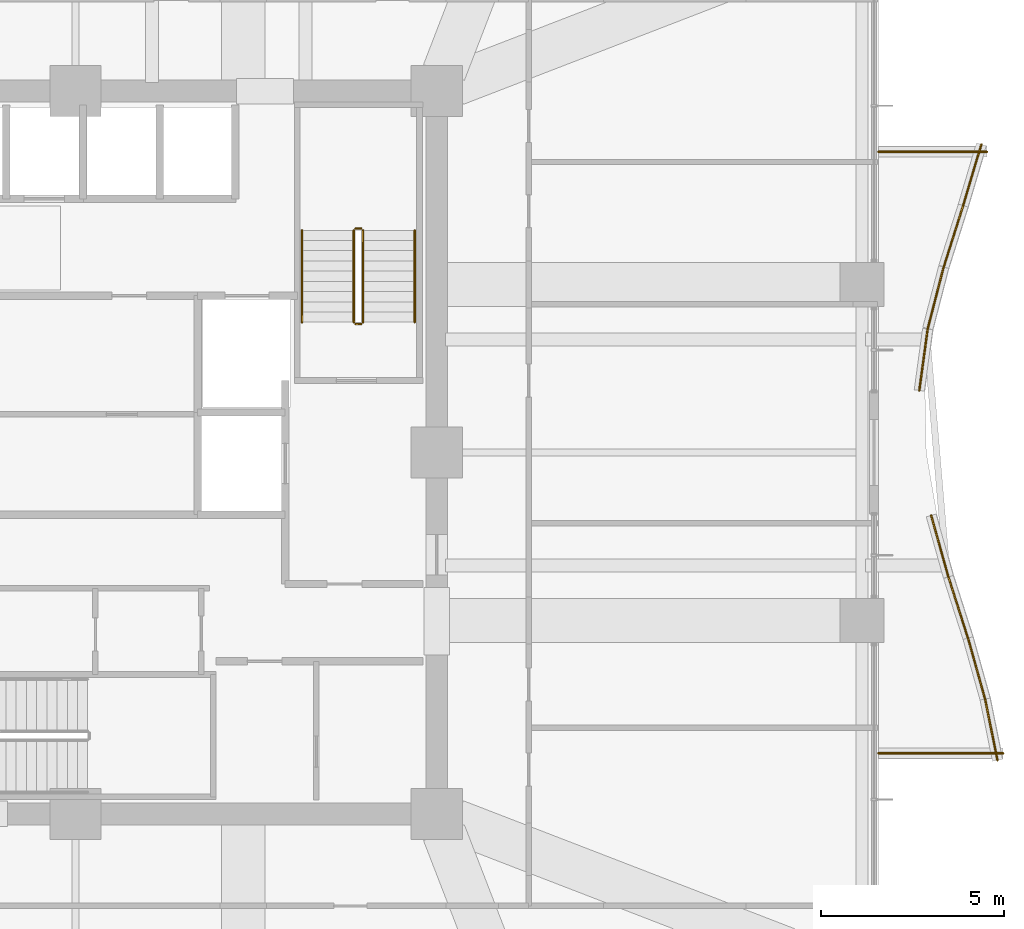
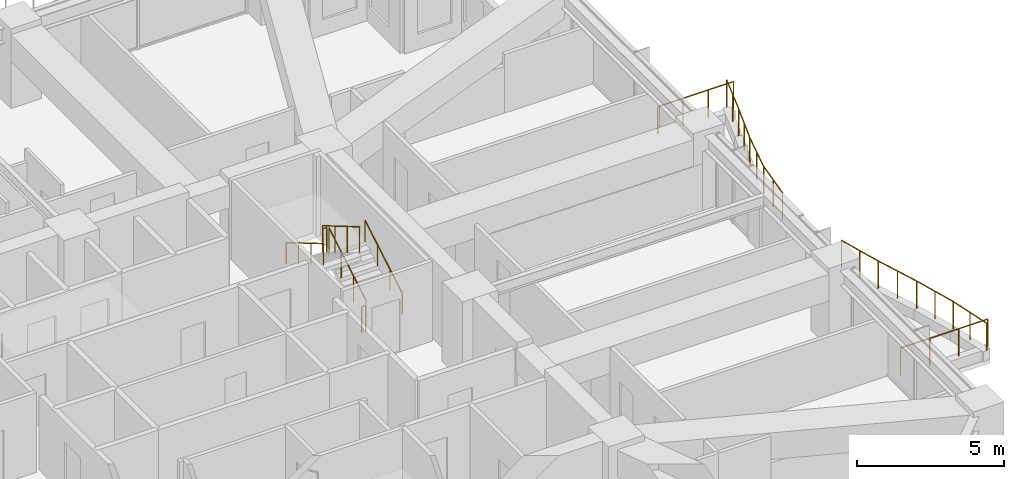
# One storey, part 38 of 39: 16 railings.
"""IFC4 building model written with IfcOpenShell, lengths in metres."""

from ifc_helpers import new_model, si_unit, direction, frame, origin, origin_2d, place, context, subcontext, project, spatial, circle, extrude, material, type_object, element, save


model = new_model("IFC4")

# Units and contexts
model_context = context("Model", 3, precision=1e-05, world=origin(), true_north=direction((0.0, 1.0)))
body_context = subcontext(model_context, "Body", "Model", "MODEL_VIEW")
ifc_project = project(units=[si_unit("LENGTHUNIT", "METRE"), si_unit("AREAUNIT", "SQUARE_METRE"), si_unit("VOLUMEUNIT", "CUBIC_METRE"), si_unit("PLANEANGLEUNIT", "RADIAN"), si_unit("MASSUNIT", "GRAM", prefix="KILO")], contexts=[model_context])

# Site, building, storey
site_placement = place(None, origin())
site = spatial("IfcSite", under=ifc_project, at=site_placement, CompositionType="ELEMENT")
building_placement = place(site_placement, origin())
building = spatial("IfcBuilding", under=site, at=building_placement, Name="Kolvaren Belvedere", CompositionType="ELEMENT")
storey_placement = place(building_placement, frame((0.0, 0.0, 33.699951171875)))
storey = spatial("IfcBuildingStorey", under=building, at=storey_placement, Name="L09", CompositionType="ELEMENT", Elevation=33.699951171875)

# Railings
ifc_material_1 = material(Name="Anodised pale-metal aluminium & laminated glass guard", Category="aluminium")
railing_type_1 = type_object("IfcRailingType", Name="RL-GUARD-1150", PredefinedType="GUARDRAIL", material=ifc_material_1)
railing_1_placement = place(storey_placement, frame((25.26318359375, -8.431884765625, 0.360107421875)))
element("IfcRailing", 1, at=railing_1_placement, inside=storey, type_object=railing_type_1, Name="L09 Exterior Deck Safety Guard BAL-E-1", PredefinedType="GUARDRAIL", context=body_context, shape_type="SweptSolid", body=[
    extrude(circle(Radius=0.02392578125, at=origin_2d()), frame((0.0, 0.0, 1.1259765625), z_axis=(-0.198662427795, 0.980067977123, 0.0), x_axis=(-0.980067977123, -0.198662427795, 0.0)), (0.0, 0.0, 1.0), 1.71435546875),
    extrude(circle(Radius=0.02099609375, at=origin_2d()), origin(), (0.0, 0.0, 1.0), 1.101806640625),
    extrude(circle(Radius=0.02099609375, at=origin_2d()), frame((-0.17041015625, 0.840087890625, 0.0)), (0.0, 0.0, 1.0), 1.101806640625),
    extrude(circle(Radius=0.02099609375, at=origin_2d()), frame((-0.340576171875, 1.68017578125, 0.0)), (0.0, 0.0, 1.0), 1.101806640625),
])
railing_2_placement = place(storey_placement, frame((24.92529296875, -6.76318359375, 0.360107421875)))
element("IfcRailing", 2, at=railing_2_placement, inside=storey, type_object=railing_type_1, Name="L09 Exterior Deck Safety Guard BAL-E-2", PredefinedType="GUARDRAIL", context=body_context, shape_type="SweptSolid", body=[
    extrude(circle(Radius=0.02392578125, at=origin_2d()), frame((0.0, 0.0, 1.1259765625), z_axis=(-0.269801210823, 0.962916043401, 0.0), x_axis=(-0.962916043401, -0.269801210823, 0.0)), (0.0, 0.0, 1.0), 1.74462890625),
    extrude(circle(Radius=0.02099609375, at=origin_2d()), origin(), (0.0, 0.0, 1.0), 1.101806640625),
    extrude(circle(Radius=0.02099609375, at=origin_2d()), frame((-0.2353515625, 0.83984375, 0.0)), (0.0, 0.0, 1.0), 1.101806640625),
    extrude(circle(Radius=0.02099609375, at=origin_2d()), frame((-0.470703125, 1.679931640625, 0.0)), (0.0, 0.0, 1.0), 1.101806640625),
])
railing_3_placement = place(storey_placement, frame((24.456298828125, -5.088623046875, 0.360107421875)))
element("IfcRailing", 3, at=railing_3_placement, inside=storey, type_object=railing_type_1, Name="L09 Exterior Deck Safety Guard BAL-E-3", PredefinedType="GUARDRAIL", context=body_context, shape_type="SweptSolid", body=[
    extrude(circle(Radius=0.02392578125, at=origin_2d()), frame((0.0, 0.0, 1.1259765625), z_axis=(-0.304660208284, 0.952461105499, 0.0), x_axis=(-0.952461105499, -0.304660208284, 0.0)), (0.0, 0.0, 1.0), 1.763671875),
    extrude(circle(Radius=0.02099609375, at=origin_2d()), origin(), (0.0, 0.0, 1.0), 1.101806640625),
    extrude(circle(Radius=0.02099609375, at=origin_2d()), frame((-0.2685546875, 0.83984375, 0.0)), (0.0, 0.0, 1.0), 1.101806640625),
    extrude(circle(Radius=0.02099609375, at=origin_2d()), frame((-0.537353515625, 1.679931640625, 0.0)), (0.0, 0.0, 1.0), 1.101806640625),
])
railing_4_placement = place(storey_placement, frame((23.917236328125, -3.4033203125, 0.360107421875)))
element("IfcRailing", 4, at=railing_4_placement, inside=storey, type_object=railing_type_1, Name="L09 Exterior Deck Safety Guard BAL-E-4", PredefinedType="GUARDRAIL", context=body_context, shape_type="SweptSolid", body=[
    extrude(circle(Radius=0.02392578125, at=origin_2d()), frame((0.0, 0.0, 1.1259765625), z_axis=(-0.269764860108, 0.962926227834, 0.0), x_axis=(-0.962926227834, -0.269764860108, 0.0)), (0.0, 0.0, 1.0), 1.744873046875),
    extrude(circle(Radius=0.02099609375, at=origin_2d()), origin(), (0.0, 0.0, 1.0), 1.101806640625),
    extrude(circle(Radius=0.02099609375, at=origin_2d()), frame((-0.2353515625, 0.840087890625, 0.0)), (0.0, 0.0, 1.0), 1.101806640625),
    extrude(circle(Radius=0.02099609375, at=origin_2d()), frame((-0.470703125, 1.68017578125, 0.0)), (0.0, 0.0, 1.0), 1.101806640625),
])
railing_5_placement = place(storey_placement, frame((23.12060546875, 1.70166015625, 0.360107421875)))
element("IfcRailing", 5, at=railing_5_placement, inside=storey, type_object=railing_type_1, Name="L09 Exterior Deck Safety Guard BAL-E-7", PredefinedType="GUARDRAIL", context=body_context, shape_type="SweptSolid", body=[
    extrude(circle(Radius=0.02392578125, at=origin_2d()), frame((0.0, 0.0, 1.1259765625), z_axis=(0.134926850989, 0.990855562068, 0.0), x_axis=(-0.990855562068, 0.134926850989, 0.0)), (0.0, 0.0, 1.0), 1.695556640625),
    extrude(circle(Radius=0.02099609375, at=origin_2d()), origin(), (0.0, 0.0, 1.0), 1.101806640625),
    extrude(circle(Radius=0.02099609375, at=origin_2d()), frame((0.1142578125, 0.83984375, 0.0)), (0.0, 0.0, 1.0), 1.101806640625),
    extrude(circle(Radius=0.02099609375, at=origin_2d()), frame((0.228759765625, 1.679931640625, 0.0)), (0.0, 0.0, 1.0), 1.101806640625),
])
railing_6_placement = place(storey_placement, frame((23.352783203125, 3.400146484375, 0.360107421875)))
element("IfcRailing", 6, at=railing_6_placement, inside=storey, type_object=railing_type_1, Name="L09 Exterior Deck Safety Guard BAL-E-8", PredefinedType="GUARDRAIL", context=body_context, shape_type="SweptSolid", body=[
    extrude(circle(Radius=0.02392578125, at=origin_2d()), frame((0.0, 0.0, 1.1259765625), z_axis=(0.25057152961, 0.968098088289, 0.0), x_axis=(-0.968098088289, 0.25057152961, 0.0)), (0.0, 0.0, 1.0), 1.7353515625),
    extrude(circle(Radius=0.02099609375, at=origin_2d()), origin(), (0.0, 0.0, 1.0), 1.101806640625),
    extrude(circle(Radius=0.02099609375, at=origin_2d()), frame((0.21728515625, 0.83984375, 0.0)), (0.0, 0.0, 1.0), 1.101806640625),
    extrude(circle(Radius=0.02099609375, at=origin_2d()), frame((0.434814453125, 1.679931640625, 0.0)), (0.0, 0.0, 1.0), 1.101806640625),
])
railing_7_placement = place(storey_placement, frame((23.789794921875, 5.08837890625, 0.360107421875)))
element("IfcRailing", 7, at=railing_7_placement, inside=storey, type_object=railing_type_1, Name="L09 Exterior Deck Safety Guard BAL-E-9", PredefinedType="GUARDRAIL", context=body_context, shape_type="SweptSolid", body=[
    extrude(circle(Radius=0.02392578125, at=origin_2d()), frame((0.0, 0.0, 1.1259765625), z_axis=(0.302523204768, 0.953142020151, 0.0), x_axis=(-0.953142020151, 0.302523204768, 0.0)), (0.0, 0.0, 1.0), 1.762451171875),
    extrude(circle(Radius=0.02099609375, at=origin_2d()), origin(), (0.0, 0.0, 1.0), 1.101806640625),
    extrude(circle(Radius=0.02099609375, at=origin_2d()), frame((0.2666015625, 0.83984375, 0.0)), (0.0, 0.0, 1.0), 1.101806640625),
    extrude(circle(Radius=0.02099609375, at=origin_2d()), frame((0.533203125, 1.679931640625, 0.0)), (0.0, 0.0, 1.0), 1.101806640625),
])
railing_8_placement = place(storey_placement, frame((24.322021484375, 6.765625, 0.360107421875)))
element("IfcRailing", 8, at=railing_8_placement, inside=storey, type_object=railing_type_1, Name="L09 Exterior Deck Safety Guard BAL-E-10", PredefinedType="GUARDRAIL", context=body_context, shape_type="SweptSolid", body=[
    extrude(circle(Radius=0.02392578125, at=origin_2d()), frame((0.0, 0.0, 1.1259765625), z_axis=(0.284880325779, 0.95856309129, 0.0), x_axis=(-0.95856309129, 0.284880325779, 0.0)), (0.0, 0.0, 1.0), 1.75244140625),
    extrude(circle(Radius=0.02099609375, at=origin_2d()), origin(), (0.0, 0.0, 1.0), 1.101806640625),
    extrude(circle(Radius=0.02099609375, at=origin_2d()), frame((0.24951171875, 0.83984375, 0.0)), (0.0, 0.0, 1.0), 1.101806640625),
    extrude(circle(Radius=0.02099609375, at=origin_2d()), frame((0.499267578125, 1.679931640625, 0.0)), (0.0, 0.0, 1.0), 1.101806640625),
])
railing_9_placement = place(storey_placement, frame((24.974853515625, 8.239990234375, 0.360107421875)))
element("IfcRailing", 9, at=railing_9_placement, inside=storey, type_object=railing_type_1, Name="L09 Exterior Deck Safety Guard BAL-E-11", PredefinedType="GUARDRAIL", context=body_context, shape_type="SweptSolid", body=[
    extrude(circle(Radius=0.02392578125, at=origin_2d()), frame((0.0, 0.0, 1.1259765625), z_axis=(-1.0, 0.0, 0.0), x_axis=(0.0, -1.0, 0.0)), (0.0, 0.0, 1.0), 2.974853515625),
    extrude(circle(Radius=0.02099609375, at=origin_2d()), origin(), (0.0, 0.0, 1.0), 1.101806640625),
    extrude(circle(Radius=0.02099609375, at=origin_2d()), frame((-0.99169921875, 0.0, 0.0)), (0.0, 0.0, 1.0), 1.101806640625),
    extrude(circle(Radius=0.02099609375, at=origin_2d()), frame((-1.983154296875, 0.0, 0.0)), (0.0, 0.0, 1.0), 1.101806640625),
    extrude(circle(Radius=0.02099609375, at=origin_2d()), frame((-2.974853515625, 0.0, 0.0)), (0.0, 0.0, 1.0), 1.101806640625),
])
railing_10_placement = place(storey_placement, frame((22.0, -8.239990234375, 0.360107421875)))
element("IfcRailing", 10, at=railing_10_placement, inside=storey, type_object=railing_type_1, Name="L09 Exterior Deck Safety Guard BAL-E-22", PredefinedType="GUARDRAIL", context=body_context, shape_type="SweptSolid", body=[
    extrude(circle(Radius=0.02392578125, at=origin_2d()), frame((0.0, 0.0, 1.1259765625), z_axis=(1.0, 0.0, 0.0), x_axis=(0.0, 1.0, 0.0)), (0.0, 0.0, 1.0), 3.419921875),
    extrude(circle(Radius=0.02099609375, at=origin_2d()), origin(), (0.0, 0.0, 1.0), 1.101806640625),
    extrude(circle(Radius=0.02099609375, at=origin_2d()), frame((1.139892578125, 0.0, 0.0)), (0.0, 0.0, 1.0), 1.101806640625),
    extrude(circle(Radius=0.02099609375, at=origin_2d()), frame((2.280029296875, 0.0, 0.0)), (0.0, 0.0, 1.0), 1.101806640625),
    extrude(circle(Radius=0.02099609375, at=origin_2d()), frame((3.419921875, 0.0, 0.0)), (0.0, 0.0, 1.0), 1.101806640625),
])
ifc_material_2 = material(Name="Brushed stainless-steel handrail", Category="steel")
railing_type_2 = type_object("IfcRailingType", Name="RL-HANDRAIL-920", PredefinedType="HANDRAIL", material=ifc_material_2)
railing_11_placement = place(storey_placement, frame((9.300048828125, 3.570068359375, 0.1650390625)))
element("IfcRailing", 11, at=railing_11_placement, inside=storey, type_object=railing_type_2, Name="L09 ST-2 stair handrail 1", PredefinedType="HANDRAIL", context=body_context, shape_type="SweptSolid", body=[
    extrude(circle(Radius=0.02392578125, at=origin_2d()), frame((0.0, 0.0, 0.8759765625), z_axis=(0.0, 0.86152411907, 0.507716645641), x_axis=(-1.0, 0.0, 0.0)), (0.0, 0.0, 1.0), 2.925048828125),
    extrude(circle(Radius=0.02099609375, at=origin_2d()), origin(), (0.0, 0.0, 1.0), 0.851806640625),
    extrude(circle(Radius=0.02099609375, at=origin_2d()), frame((0.0, 0.840087890625, 0.4951171875)), (0.0, 0.0, 1.0), 0.851806640625),
    extrude(circle(Radius=0.02099609375, at=origin_2d()), frame((0.0, 1.679931640625, 0.989990234375)), (0.0, 0.0, 1.0), 0.851806640625),
    extrude(circle(Radius=0.02099609375, at=origin_2d()), frame((0.0, 2.52001953125, 1.485107421875)), (0.0, 0.0, 1.0), 0.851806640625),
])
railing_12_placement = place(storey_placement, frame((6.2099609375, 6.090087890625, 1.81494140625)))
element("IfcRailing", 12, at=railing_12_placement, inside=storey, type_object=railing_type_2, Name="L09 ST-2 stair handrail 2", PredefinedType="HANDRAIL", context=body_context, shape_type="SweptSolid", body=[
    extrude(circle(Radius=0.02392578125, at=origin_2d()), frame((0.0, 0.0, 0.8759765625), z_axis=(0.0, -0.86152411907, 0.507716645641), x_axis=(1.0, 0.0, 0.0)), (0.0, 0.0, 1.0), 2.925048828125),
    extrude(circle(Radius=0.02099609375, at=origin_2d()), origin(), (0.0, 0.0, 1.0), 0.851806640625),
    extrude(circle(Radius=0.02099609375, at=origin_2d()), frame((0.0, -0.840087890625, 0.4951171875)), (0.0, 0.0, 1.0), 0.851806640625),
    extrude(circle(Radius=0.02099609375, at=origin_2d()), frame((0.0, -1.679931640625, 0.989990234375)), (0.0, 0.0, 1.0), 0.851806640625),
    extrude(circle(Radius=0.02099609375, at=origin_2d()), frame((0.0, -2.52001953125, 1.485107421875)), (0.0, 0.0, 1.0), 0.851806640625),
])
ifc_material_3 = material(Name="Painted tubular steel stair guard", Category="steel")
railing_type_3 = type_object("IfcRailingType", Name="RL-STGUARD-1100", PredefinedType="GUARDRAIL", material=ifc_material_3)
railing_13_placement = place(storey_placement, frame((7.8798828125, 3.570068359375, 0.1650390625)))
element("IfcRailing", 13, at=railing_13_placement, inside=storey, type_object=railing_type_3, Name="L09 ST-2 stair guard 1", PredefinedType="GUARDRAIL", context=body_context, shape_type="SweptSolid", body=[
    extrude(circle(Radius=0.02392578125, at=origin_2d()), frame((0.0, 0.0, 1.076171875), z_axis=(0.0, 0.86152411907, 0.507716645641), x_axis=(-1.0, 0.0, 0.0)), (0.0, 0.0, 1.0), 2.925048828125),
    extrude(circle(Radius=0.02099609375, at=origin_2d()), origin(), (0.0, 0.0, 1.0), 1.052001953125),
    extrude(circle(Radius=0.02099609375, at=origin_2d()), frame((0.0, 0.840087890625, 0.4951171875)), (0.0, 0.0, 1.0), 1.052001953125),
    extrude(circle(Radius=0.02099609375, at=origin_2d()), frame((0.0, 1.679931640625, 0.989990234375)), (0.0, 0.0, 1.0), 1.052001953125),
    extrude(circle(Radius=0.02099609375, at=origin_2d()), frame((0.0, 2.52001953125, 1.485107421875)), (0.0, 0.0, 1.0), 1.052001953125),
])
railing_14_placement = place(storey_placement, frame((7.830078125, 6.139892578125, 1.650146484375)))
element("IfcRailing", 14, at=railing_14_placement, inside=storey, type_object=railing_type_3, Name="L09 ST-2 stair guard 2", PredefinedType="GUARDRAIL", context=body_context, shape_type="SweptSolid", body=[
    extrude(circle(Radius=0.02392578125, at=origin_2d()), frame((0.0, 0.0, 1.076171875), z_axis=(-1.0, 0.0, 0.0), x_axis=(0.0, -1.0, 0.0)), (0.0, 0.0, 1.0), 0.150146484375),
    extrude(circle(Radius=0.02099609375, at=origin_2d()), origin(), (0.0, 0.0, 1.0), 1.052001953125),
    extrude(circle(Radius=0.02099609375, at=origin_2d()), frame((-0.150146484375, 0.0, 0.0)), (0.0, 0.0, 1.0), 1.052001953125),
])
railing_15_placement = place(storey_placement, frame((7.6298828125, 6.090087890625, 1.81494140625)))
element("IfcRailing", 15, at=railing_15_placement, inside=storey, type_object=railing_type_3, Name="L09 ST-2 stair guard 3", PredefinedType="GUARDRAIL", context=body_context, shape_type="SweptSolid", body=[
    extrude(circle(Radius=0.02392578125, at=origin_2d()), frame((0.0, 0.0, 1.076171875), z_axis=(0.0, -0.86152411907, 0.507716645641), x_axis=(1.0, 0.0, 0.0)), (0.0, 0.0, 1.0), 2.925048828125),
    extrude(circle(Radius=0.02099609375, at=origin_2d()), origin(), (0.0, 0.0, 1.0), 1.052001953125),
    extrude(circle(Radius=0.02099609375, at=origin_2d()), frame((0.0, -0.840087890625, 0.4951171875)), (0.0, 0.0, 1.0), 1.052001953125),
    extrude(circle(Radius=0.02099609375, at=origin_2d()), frame((0.0, -1.679931640625, 0.989990234375)), (0.0, 0.0, 1.0), 1.052001953125),
    extrude(circle(Radius=0.02099609375, at=origin_2d()), frame((0.0, -2.52001953125, 1.485107421875)), (0.0, 0.0, 1.0), 1.052001953125),
])
railing_16_placement = place(storey_placement, frame((7.830078125, 3.52001953125, 0.0)))
element("IfcRailing", 16, at=railing_16_placement, inside=storey, type_object=railing_type_3, Name="L09 ST-2 stair guard 4", PredefinedType="GUARDRAIL", context=body_context, shape_type="SweptSolid", body=[
    extrude(circle(Radius=0.02392578125, at=origin_2d()), frame((0.0, 0.0, 1.076171875), z_axis=(-1.0, 0.0, 0.0), x_axis=(0.0, -1.0, 0.0)), (0.0, 0.0, 1.0), 0.150146484375),
    extrude(circle(Radius=0.02099609375, at=origin_2d()), origin(), (0.0, 0.0, 1.0), 1.052001953125),
    extrude(circle(Radius=0.02099609375, at=origin_2d()), frame((-0.150146484375, 0.0, 0.0)), (0.0, 0.0, 1.0), 1.052001953125),
])

save(model, "model.ifc")
